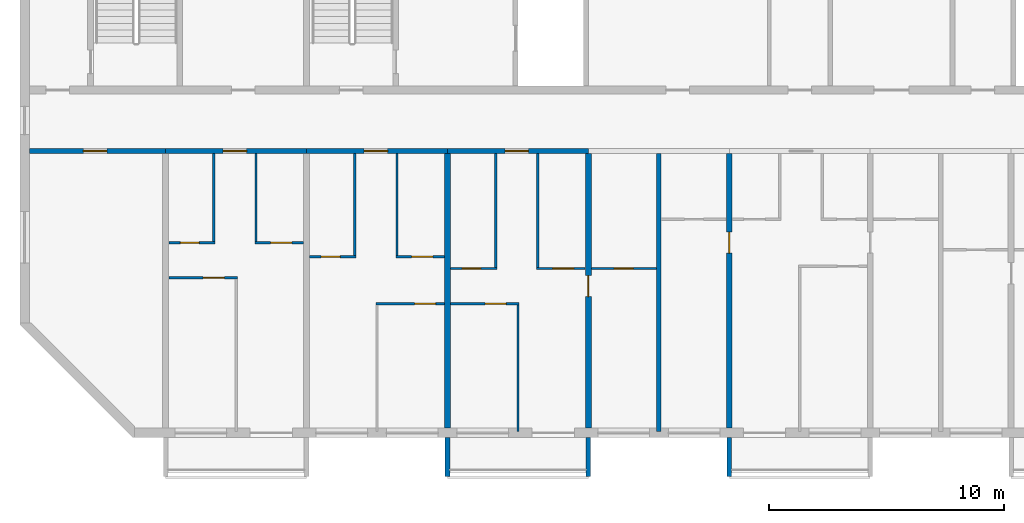
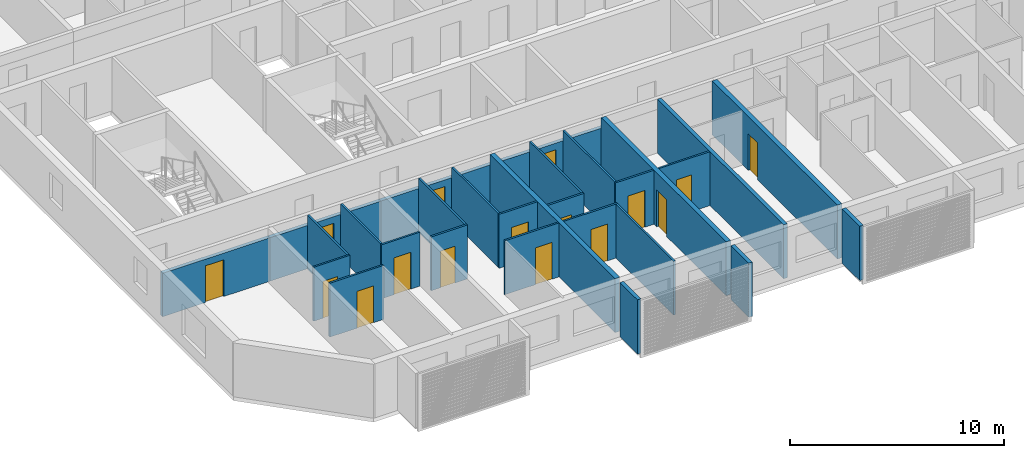
# One storey, part 2 of 26: 28 walls, 16 doors, 16 openings.
"""IFC4 building model written with IfcOpenShell, lengths in metres."""

from ifc_helpers import new_model, si_unit, direction, frame, frame_2d, origin, place, context, subcontext, project, spatial, polyline, rectangle, outline, extrude, source, transform, mapped, material, layer, layer_set, type_object, element, fill, save


model = new_model("IFC4")

# Units and contexts
model_context = context("Model", 3, precision=1e-05, world=origin(), true_north=direction((0.0, 1.0)))
body_context = subcontext(model_context, "Body", "Model", "MODEL_VIEW")
ifc_project = project(units=[si_unit("LENGTHUNIT", "METRE"), si_unit("AREAUNIT", "SQUARE_METRE"), si_unit("VOLUMEUNIT", "CUBIC_METRE"), si_unit("PLANEANGLEUNIT", "RADIAN"), si_unit("MASSUNIT", "GRAM", prefix="KILO")], contexts=[model_context])

# Site, building, storey
site_placement = place(None, origin())
site = spatial("IfcSite", under=ifc_project, at=site_placement, CompositionType="ELEMENT")
building_placement = place(site_placement, origin())
building = spatial("IfcBuilding", under=site, at=building_placement, Name="Poui Terraces", CompositionType="ELEMENT")
storey_placement = place(building_placement, frame((0.0, 0.0, 221.39990234375)))
storey = spatial("IfcBuildingStorey", under=building, at=storey_placement, Name="L61", CompositionType="ELEMENT", Elevation=221.39990234375)

# Wall, opening, door
ifc_material_1 = material(Name="Concrete 50 MPa", Category="concrete")
ifc_layer_1 = layer(ifc_material_1, 0.199951171875)
ifc_layer_set_1 = layer_set([ifc_layer_1], Name="Concrete 50 MPa")
wall_type_1 = type_object("IfcWallType", Name="CORRIDOR WALL 200 50MPa", PredefinedType="SHEAR", material=ifc_layer_set_1)
wall_1_placement = place(storey_placement, frame((18.199951171875, 12.0, 0.0), z_axis=(0.0, 0.0, 1.0), x_axis=(1.0, 0.0, 0.0)))
wall_1 = element("IfcWall", 1, at=wall_1_placement, inside=storey, type_object=wall_type_1, Name="CORRIDOR WALL LINE B BAY 1", PredefinedType="SHEAR", context=body_context, shape_type="SweptSolid", body=[
    extrude(rectangle(XDim=5.800048828125, YDim=0.199951171875, at=frame_2d((2.89990234375, 0.0))), origin(), (0.0, 0.0, 1.0), 2.47998046875),
])
opening_1_placement = place(wall_1_placement, frame((2.300048828125, 0.0, 0.0)))
opening_1 = element("IfcOpeningElement", 2, at=opening_1_placement, cuts=wall_1, Name="Opening D100", PredefinedType="OPENING", context=body_context, shape_type="SweptSolid", body=[
    extrude(rectangle(XDim=1.0, YDim=2.10009765625, at=frame_2d((0.5, 1.050048828125))), frame((0.0, 0.10986328125, 0.0), z_axis=(0.0, -1.0, 0.0), x_axis=(1.0, 0.0, 0.0)), (0.0, 0.0, 1.0), 0.219970703125),
])
ifc_material_2 = material(Name="Solid core timber door", Category="wood")
door_type_1 = type_object("IfcDoorType", Name="ACCESSIBLE INTERNAL DOOR 1000 X 2100", OperationType="NOTDEFINED", PredefinedType="DOOR", material=ifc_material_2)
door_1_placement = place(opening_1_placement, frame((1.0, 0.0, 0.0), z_axis=(0.0, 0.0, 1.0), x_axis=(-1.0, 0.0, 0.0)))
door_1 = element("IfcDoor", 3, at=door_1_placement, inside=storey, type_object=door_type_1, Name="ACCESSIBLE INTERNAL DOOR 058", OperationType="SINGLE_SWING_RIGHT", OverallHeight=2.10009765625, OverallWidth=1.0, PredefinedType="DOOR", context=body_context, shape_type="SweptSolid", body=[
    extrude(rectangle(XDim=1.0, YDim=2.10009765625, at=frame_2d((0.5, 1.050048828125))), frame((0.0, 0.02490234375, 0.0), z_axis=(0.0, -1.0, 0.0), x_axis=(1.0, 0.0, 0.0)), (0.0, 0.0, 1.0), 0.050048828125),
])
fill(opening_1, door_1)

wall_2_placement = place(storey_placement, frame((24.0, 12.0, 0.0), z_axis=(0.0, 0.0, 1.0), x_axis=(1.0, 0.0, 0.0)))
wall_2 = element("IfcWall", 4, at=wall_2_placement, inside=storey, type_object=wall_type_1, Name="CORRIDOR WALL LINE B BAY 2", PredefinedType="SHEAR", context=body_context, shape_type="SweptSolid", body=[
    extrude(rectangle(XDim=6.0, YDim=0.199951171875, at=frame_2d((3.0, 0.0))), origin(), (0.0, 0.0, 1.0), 2.47998046875),
])
opening_2_placement = place(wall_2_placement, frame((2.449951171875, 0.0, 0.0)))
opening_2 = element("IfcOpeningElement", 5, at=opening_2_placement, cuts=wall_2, Name="Opening FD30S", PredefinedType="OPENING", context=body_context, shape_type="SweptSolid", body=[
    extrude(rectangle(XDim=1.0, YDim=2.10009765625, at=frame_2d((0.5, 1.050048828125))), frame((0.0, 0.10986328125, 0.0), z_axis=(0.0, -1.0, 0.0), x_axis=(1.0, 0.0, 0.0)), (0.0, 0.0, 1.0), 0.219970703125),
])
ifc_material_3 = material(Name="Steel fire door", Category="steel")
door_type_2 = type_object("IfcDoorType", Name="FLAT ENTRANCE DOOR 1000 X 2100", OperationType="NOTDEFINED", PredefinedType="DOOR", material=ifc_material_3)
door_2_placement = place(opening_2_placement, frame((1.0, 0.0, 0.0), z_axis=(0.0, 0.0, 1.0), x_axis=(-1.0, 0.0, 0.0)))
door_2 = element("IfcDoor", 6, at=door_2_placement, inside=storey, type_object=door_type_2, Name="FLAT ENTRANCE DOOR 061", OperationType="SINGLE_SWING_RIGHT", OverallHeight=2.10009765625, OverallWidth=1.0, PredefinedType="DOOR", context=body_context, shape_type="SweptSolid", body=[
    extrude(rectangle(XDim=1.0, YDim=2.10009765625, at=frame_2d((0.5, 1.050048828125))), frame((0.0, 0.02490234375, 0.0), z_axis=(0.0, -1.0, 0.0), x_axis=(1.0, 0.0, 0.0)), (0.0, 0.0, 1.0), 0.050048828125),
])
fill(opening_2, door_2)

wall_3_placement = place(storey_placement, frame((30.0, 12.0, 0.0), z_axis=(0.0, 0.0, 1.0), x_axis=(1.0, 0.0, 0.0)))
wall_3 = element("IfcWall", 7, at=wall_3_placement, inside=storey, type_object=wall_type_1, Name="CORRIDOR WALL LINE B BAY 3", PredefinedType="SHEAR", context=body_context, shape_type="SweptSolid", body=[
    extrude(rectangle(XDim=6.0, YDim=0.199951171875, at=frame_2d((3.0, 0.0))), origin(), (0.0, 0.0, 1.0), 2.47998046875),
])
opening_3_placement = place(wall_3_placement, frame((2.449951171875, 0.0, 0.0)))
opening_3 = element("IfcOpeningElement", 8, at=opening_3_placement, cuts=wall_3, Name="Opening FD30S", PredefinedType="OPENING", context=body_context, shape_type="SweptSolid", body=[
    extrude(rectangle(XDim=1.0, YDim=2.10009765625, at=frame_2d((0.5, 1.050048828125))), frame((0.0, 0.10986328125, 0.0), z_axis=(0.0, -1.0, 0.0), x_axis=(1.0, 0.0, 0.0)), (0.0, 0.0, 1.0), 0.219970703125),
])
door_3_placement = place(opening_3_placement, frame((1.0, 0.0, 0.0), z_axis=(0.0, 0.0, 1.0), x_axis=(-1.0, 0.0, 0.0)))
door_3 = element("IfcDoor", 9, at=door_3_placement, inside=storey, type_object=door_type_2, Name="FLAT ENTRANCE DOOR 064", OperationType="SINGLE_SWING_RIGHT", OverallHeight=2.10009765625, OverallWidth=1.0, PredefinedType="DOOR", context=body_context, shape_type="SweptSolid", body=[
    extrude(rectangle(XDim=1.0, YDim=2.10009765625, at=frame_2d((0.5, 1.050048828125))), frame((0.0, 0.02490234375, 0.0), z_axis=(0.0, -1.0, 0.0), x_axis=(1.0, 0.0, 0.0)), (0.0, 0.0, 1.0), 0.050048828125),
])
fill(opening_3, door_3)

wall_4_placement = place(storey_placement, frame((36.0, 12.0, 0.0), z_axis=(0.0, 0.0, 1.0), x_axis=(1.0, 0.0, 0.0)))
wall_4 = element("IfcWall", 10, at=wall_4_placement, inside=storey, type_object=wall_type_1, Name="CORRIDOR WALL LINE B BAY 4", PredefinedType="SHEAR", context=body_context, shape_type="SweptSolid", body=[
    extrude(rectangle(XDim=6.0, YDim=0.199951171875, at=frame_2d((3.0, 0.0))), origin(), (0.0, 0.0, 1.0), 2.47998046875),
])
opening_4_placement = place(wall_4_placement, frame((2.449951171875, 0.0, 0.0)))
opening_4 = element("IfcOpeningElement", 11, at=opening_4_placement, cuts=wall_4, Name="Opening FD30S", PredefinedType="OPENING", context=body_context, shape_type="SweptSolid", body=[
    extrude(rectangle(XDim=1.0, YDim=2.10009765625, at=frame_2d((0.5, 1.050048828125))), frame((0.0, 0.10986328125, 0.0), z_axis=(0.0, -1.0, 0.0), x_axis=(1.0, 0.0, 0.0)), (0.0, 0.0, 1.0), 0.219970703125),
])
door_4_placement = place(opening_4_placement, frame((1.0, 0.0, 0.0), z_axis=(0.0, 0.0, 1.0), x_axis=(-1.0, 0.0, 0.0)))
door_4 = element("IfcDoor", 12, at=door_4_placement, inside=storey, type_object=door_type_2, Name="FLAT ENTRANCE DOOR 070", OperationType="SINGLE_SWING_RIGHT", OverallHeight=2.10009765625, OverallWidth=1.0, PredefinedType="DOOR", context=body_context, shape_type="SweptSolid", body=[
    extrude(rectangle(XDim=1.0, YDim=2.10009765625, at=frame_2d((0.5, 1.050048828125))), frame((0.0, 0.02490234375, 0.0), z_axis=(0.0, -1.0, 0.0), x_axis=(1.0, 0.0, 0.0)), (0.0, 0.0, 1.0), 0.050048828125),
])
fill(opening_4, door_4)

# Wall
ifc_layer_2 = layer(ifc_material_1, 0.25)
ifc_layer_set_2 = layer_set([ifc_layer_2], Name="Concrete 50 MPa")
wall_type_2 = type_object("IfcWallType", Name="CROSS WALL 250 50MPa", PredefinedType="SHEAR", material=ifc_layer_set_2)
wall_5_placement = place(storey_placement, frame((36.0, 0.199951171875, 0.0), z_axis=(0.0, 0.0, 1.0), x_axis=(0.0, 1.0, 0.0)))
element("IfcWall", 13, at=wall_5_placement, inside=storey, type_object=wall_type_2, Name="CROSS WALL LINE 7 SOUTH", PredefinedType="SHEAR", context=body_context, shape_type="SweptSolid", body=[
    extrude(rectangle(XDim=11.699951171875, YDim=0.25, at=frame_2d((5.85009765625, 0.0))), origin(), (0.0, 0.0, 1.0), 3.080078125),
])

# Wall, opening, door
wall_6_placement = place(storey_placement, frame((42.0, 0.199951171875, 0.0), z_axis=(0.0, 0.0, 1.0), x_axis=(0.0, 1.0, 0.0)))
wall_6 = element("IfcWall", 14, at=wall_6_placement, inside=storey, type_object=wall_type_2, Name="CROSS WALL LINE 8 SOUTH", PredefinedType="SHEAR", context=body_context, shape_type="SweptSolid", body=[
    extrude(rectangle(XDim=11.699951171875, YDim=0.25, at=frame_2d((5.85009765625, 0.0))), origin(), (0.0, 0.0, 1.0), 3.080078125),
])
opening_5_placement = place(wall_6_placement, frame((5.60009765625, 0.0, 0.0)))
opening_5 = element("IfcOpeningElement", 15, at=opening_5_placement, cuts=wall_6, Name="Opening D90", PredefinedType="OPENING", context=body_context, shape_type="SweptSolid", body=[
    extrude(rectangle(XDim=0.89990234375, YDim=2.10009765625, at=frame_2d((0.449951171875, 1.050048828125))), frame((0.0, 0.135009765625, 0.0), z_axis=(0.0, -1.0, 0.0), x_axis=(1.0, 0.0, 0.0)), (0.0, 0.0, 1.0), 0.27001953125),
])
door_type_3 = type_object("IfcDoorType", Name="INTERNAL DOOR 900 X 2100", OperationType="NOTDEFINED", PredefinedType="DOOR", material=ifc_material_2)
door_5_placement = place(opening_5_placement, frame((0.89990234375, 0.0, 0.0), z_axis=(0.0, 0.0, 1.0), x_axis=(-1.0, 0.0, 0.0)))
door_5 = element("IfcDoor", 16, at=door_5_placement, inside=storey, type_object=door_type_3, Name="INTERNAL DOOR 072", OperationType="SINGLE_SWING_LEFT", OverallHeight=2.10009765625, OverallWidth=0.89990234375, PredefinedType="DOOR", context=body_context, shape_type="SweptSolid", body=[
    extrude(rectangle(XDim=0.89990234375, YDim=2.10009765625, at=frame_2d((0.449951171875, 1.050048828125))), frame((0.0, 0.02490234375, 0.0), z_axis=(0.0, -1.0, 0.0), x_axis=(1.0, 0.0, 0.0)), (0.0, 0.0, 1.0), 0.050048828125),
])
fill(opening_5, door_5)

wall_7_placement = place(storey_placement, frame((48.0, 0.199951171875, 0.0), z_axis=(0.0, 0.0, 1.0), x_axis=(0.0, 1.0, 0.0)))
wall_7 = element("IfcWall", 17, at=wall_7_placement, inside=storey, type_object=wall_type_2, Name="CROSS WALL LINE 9 SOUTH", PredefinedType="SHEAR", context=body_context, shape_type="SweptSolid", body=[
    extrude(rectangle(XDim=11.699951171875, YDim=0.25, at=frame_2d((5.85009765625, 0.0))), origin(), (0.0, 0.0, 1.0), 3.080078125),
])
opening_6_placement = place(wall_7_placement, frame((7.449951171875, 0.0, 0.0)))
opening_6 = element("IfcOpeningElement", 18, at=opening_6_placement, cuts=wall_7, Name="Opening D90", PredefinedType="OPENING", context=body_context, shape_type="SweptSolid", body=[
    extrude(rectangle(XDim=0.89990234375, YDim=2.10009765625, at=frame_2d((0.449951171875, 1.050048828125))), frame((0.0, 0.135009765625, 0.0), z_axis=(0.0, -1.0, 0.0), x_axis=(1.0, 0.0, 0.0)), (0.0, 0.0, 1.0), 0.27001953125),
])
door_6_placement = place(opening_6_placement, origin())
door_6 = element("IfcDoor", 19, at=door_6_placement, inside=storey, type_object=door_type_3, Name="INTERNAL DOOR 075", OperationType="SINGLE_SWING_RIGHT", OverallHeight=2.10009765625, OverallWidth=0.89990234375, PredefinedType="DOOR", context=body_context, shape_type="SweptSolid", body=[
    extrude(rectangle(XDim=0.89990234375, YDim=2.10009765625, at=frame_2d((0.449951171875, 1.050048828125))), frame((0.0, 0.02490234375, 0.0), z_axis=(0.0, -1.0, 0.0), x_axis=(1.0, 0.0, 0.0)), (0.0, 0.0, 1.0), 0.050048828125),
])
fill(opening_6, door_6)

ifc_material_4 = material(Name="Plasterboard partition")
ifc_layer_3 = layer(ifc_material_4, 0.10009765625)
ifc_layer_set_3 = layer_set([ifc_layer_3], Name="Plasterboard partition")
wall_type_3 = type_object("IfcWallType", Name="FLAT PARTITION 100", PredefinedType="PARTITIONING", material=ifc_layer_set_3)
wall_8_placement = place(storey_placement, frame((32.949951171875, 5.5, 0.0), z_axis=(0.0, 0.0, 1.0), x_axis=(1.0, 0.0, 0.0)))
wall_8 = element("IfcWall", 20, at=wall_8_placement, inside=storey, type_object=wall_type_3, Name="FLAT PARTITION 100", PredefinedType="PARTITIONING", context=body_context, shape_type="SweptSolid", body=[
    extrude(rectangle(XDim=2.9150390625, YDim=0.10009765625, at=frame_2d((1.45751953125, 0.0))), origin(), (0.0, 0.0, 1.0), 3.080078125),
])
opening_7_placement = place(wall_8_placement, frame((1.64990234375, 0.0, 0.0)))
opening_7 = element("IfcOpeningElement", 21, at=opening_7_placement, cuts=wall_8, Name="Opening D90", PredefinedType="OPENING", context=body_context, shape_type="SweptSolid", body=[
    extrude(rectangle(XDim=0.89990234375, YDim=2.10009765625, at=frame_2d((0.449951171875, 1.050048828125))), frame((0.0, 0.06005859375, 0.0), z_axis=(0.0, -1.0, 0.0), x_axis=(1.0, 0.0, 0.0)), (0.0, 0.0, 1.0), 0.1201171875),
])
door_7_placement = place(opening_7_placement, frame((0.89990234375, 0.0, 0.0), z_axis=(0.0, 0.0, 1.0), x_axis=(-1.0, 0.0, 0.0)))
door_7 = element("IfcDoor", 22, at=door_7_placement, inside=storey, type_object=door_type_3, Name="INTERNAL DOOR 066", OperationType="SINGLE_SWING_LEFT", OverallHeight=2.10009765625, OverallWidth=0.89990234375, PredefinedType="DOOR", context=body_context, shape_type="SweptSolid", body=[
    extrude(rectangle(XDim=0.89990234375, YDim=2.10009765625, at=frame_2d((0.449951171875, 1.050048828125))), frame((0.0, 0.02490234375, 0.0), z_axis=(0.0, -1.0, 0.0), x_axis=(1.0, 0.0, 0.0)), (0.0, 0.0, 1.0), 0.050048828125),
])
fill(opening_7, door_7)

wall_9_placement = place(storey_placement, frame((36.135009765625, 5.5, 0.0), z_axis=(0.0, 0.0, 1.0), x_axis=(1.0, 0.0, 0.0)))
wall_9 = element("IfcWall", 23, at=wall_9_placement, inside=storey, type_object=wall_type_3, Name="FLAT PARTITION 100", PredefinedType="PARTITIONING", context=body_context, shape_type="SweptSolid", body=[
    extrude(rectangle(XDim=2.9150390625, YDim=0.10009765625, at=frame_2d((1.45751953125, 0.0))), origin(), (0.0, 0.0, 1.0), 3.080078125),
])
opening_8_placement = place(wall_9_placement, frame((1.465087890625, 0.0, 0.0)))
opening_8 = element("IfcOpeningElement", 24, at=opening_8_placement, cuts=wall_9, Name="Opening D90", PredefinedType="OPENING", context=body_context, shape_type="SweptSolid", body=[
    extrude(rectangle(XDim=0.89990234375, YDim=2.10009765625, at=frame_2d((0.449951171875, 1.050048828125))), frame((0.0, 0.06005859375, 0.0), z_axis=(0.0, -1.0, 0.0), x_axis=(1.0, 0.0, 0.0)), (0.0, 0.0, 1.0), 0.1201171875),
])
door_8_placement = place(opening_8_placement, origin())
door_8 = element("IfcDoor", 25, at=door_8_placement, inside=storey, type_object=door_type_3, Name="INTERNAL DOOR 069", OperationType="SINGLE_SWING_LEFT", OverallHeight=2.10009765625, OverallWidth=0.89990234375, PredefinedType="DOOR", context=body_context, shape_type="SweptSolid", body=[
    extrude(rectangle(XDim=0.89990234375, YDim=2.10009765625, at=frame_2d((0.449951171875, 1.050048828125))), frame((0.0, 0.02490234375, 0.0), z_axis=(0.0, -1.0, 0.0), x_axis=(1.0, 0.0, 0.0)), (0.0, 0.0, 1.0), 0.050048828125),
])
fill(opening_8, door_8)

wall_10_placement = place(storey_placement, frame((24.135009765625, 6.60009765625, 0.0), z_axis=(0.0, 0.0, 1.0), x_axis=(1.0, 0.0, 0.0)))
wall_10 = element("IfcWall", 26, at=wall_10_placement, inside=storey, type_object=wall_type_3, Name="FLAT PARTITION 100", PredefinedType="PARTITIONING", context=body_context, shape_type="SweptSolid", body=[
    extrude(rectangle(XDim=2.9150390625, YDim=0.10009765625, at=frame_2d((1.45751953125, 0.0))), origin(), (0.0, 0.0, 1.0), 3.080078125),
])
opening_9_placement = place(wall_10_placement, frame((1.465087890625, 0.0, 0.0)))
opening_9 = element("IfcOpeningElement", 27, at=opening_9_placement, cuts=wall_10, Name="Opening D90", PredefinedType="OPENING", context=body_context, shape_type="SweptSolid", body=[
    extrude(rectangle(XDim=0.89990234375, YDim=2.10009765625, at=frame_2d((0.449951171875, 1.050048828125))), frame((0.0, 0.06005859375, 0.0), z_axis=(0.0, -1.0, 0.0), x_axis=(1.0, 0.0, 0.0)), (0.0, 0.0, 1.0), 0.1201171875),
])
door_9_placement = place(opening_9_placement, origin())
door_9 = element("IfcDoor", 28, at=door_9_placement, inside=storey, type_object=door_type_3, Name="INTERNAL DOOR 060", OperationType="SINGLE_SWING_LEFT", OverallHeight=2.10009765625, OverallWidth=0.89990234375, PredefinedType="DOOR", context=body_context, shape_type="SweptSolid", body=[
    extrude(rectangle(XDim=0.89990234375, YDim=2.10009765625, at=frame_2d((0.449951171875, 1.050048828125))), frame((0.0, 0.02490234375, 0.0), z_axis=(0.0, -1.0, 0.0), x_axis=(1.0, 0.0, 0.0)), (0.0, 0.0, 1.0), 0.050048828125),
])
fill(opening_9, door_9)

wall_11_placement = place(storey_placement, frame((36.135009765625, 7.0, 0.0), z_axis=(0.0, 0.0, 1.0), x_axis=(1.0, 0.0, 0.0)))
wall_11 = element("IfcWall", 29, at=wall_11_placement, inside=storey, type_object=wall_type_3, Name="FLAT PARTITION 100", PredefinedType="PARTITIONING", context=body_context, shape_type="SweptSolid", body=[
    extrude(rectangle(XDim=1.965087890625, YDim=0.10009765625, at=frame_2d((0.982421875, 0.0))), origin(), (0.0, 0.0, 1.0), 3.080078125),
])
opening_10_placement = place(wall_11_placement, frame((0.489990234375, 0.0, 0.0)))
opening_10 = element("IfcOpeningElement", 30, at=opening_10_placement, cuts=wall_11, Name="Opening D80", PredefinedType="OPENING", context=body_context, shape_type="SweptSolid", body=[
    extrude(rectangle(XDim=0.800048828125, YDim=2.10009765625, at=frame_2d((0.39990234375, 1.050048828125))), frame((0.0, 0.06005859375, 0.0), z_axis=(0.0, -1.0, 0.0), x_axis=(1.0, 0.0, 0.0)), (0.0, 0.0, 1.0), 0.1201171875),
])
door_type_4 = type_object("IfcDoorType", Name="BATHROOM, LAUNDRY AND STORE DOOR 800 X 2100", OperationType="NOTDEFINED", PredefinedType="DOOR", material=ifc_material_2)
door_10_placement = place(opening_10_placement, origin())
door_10 = element("IfcDoor", 31, at=door_10_placement, inside=storey, type_object=door_type_4, Name="BATHROOM, LAUNDRY AND STORE DOOR 068", OperationType="SINGLE_SWING_RIGHT", OverallHeight=2.10009765625, OverallWidth=0.800048828125, PredefinedType="DOOR", context=body_context, shape_type="SweptSolid", body=[
    extrude(rectangle(XDim=0.800048828125, YDim=2.10009765625, at=frame_2d((0.39990234375, 1.050048828125))), frame((0.0, 0.02490234375, 0.0), z_axis=(0.0, -1.0, 0.0), x_axis=(1.0, 0.0, 0.0)), (0.0, 0.0, 1.0), 0.050048828125),
])
fill(opening_10, door_10)

wall_12_placement = place(storey_placement, frame((39.800048828125, 7.0, 0.0), z_axis=(0.0, 0.0, 1.0), x_axis=(1.0, 0.0, 0.0)))
wall_12 = element("IfcWall", 32, at=wall_12_placement, inside=storey, type_object=wall_type_3, Name="FLAT PARTITION 100", PredefinedType="PARTITIONING", context=body_context, shape_type="SweptSolid", body=[
    extrude(rectangle(XDim=2.06494140625, YDim=0.10009765625, at=frame_2d((1.032470703125, 0.0))), origin(), (0.0, 0.0, 1.0), 3.080078125),
])
opening_11_placement = place(wall_12_placement, frame((0.675048828125, 0.0, 0.0)))
opening_11 = element("IfcOpeningElement", 33, at=opening_11_placement, cuts=wall_12, Name="Opening D90", PredefinedType="OPENING", context=body_context, shape_type="SweptSolid", body=[
    extrude(rectangle(XDim=0.89990234375, YDim=2.10009765625, at=frame_2d((0.449951171875, 1.050048828125))), frame((0.0, 0.06005859375, 0.0), z_axis=(0.0, -1.0, 0.0), x_axis=(1.0, 0.0, 0.0)), (0.0, 0.0, 1.0), 0.1201171875),
])
door_11_placement = place(opening_11_placement, origin())
door_11 = element("IfcDoor", 34, at=door_11_placement, inside=storey, type_object=door_type_3, Name="INTERNAL DOOR 071", OperationType="SINGLE_SWING_LEFT", OverallHeight=2.10009765625, OverallWidth=0.89990234375, PredefinedType="DOOR", context=body_context, shape_type="SweptSolid", body=[
    extrude(rectangle(XDim=0.89990234375, YDim=2.10009765625, at=frame_2d((0.449951171875, 1.050048828125))), frame((0.0, 0.02490234375, 0.0), z_axis=(0.0, -1.0, 0.0), x_axis=(1.0, 0.0, 0.0)), (0.0, 0.0, 1.0), 0.050048828125),
])
fill(opening_11, door_11)

wall_13_placement = place(storey_placement, frame((42.135009765625, 7.0, 0.0), z_axis=(0.0, 0.0, 1.0), x_axis=(1.0, 0.0, 0.0)))
wall_13 = element("IfcWall", 35, at=wall_13_placement, inside=storey, type_object=wall_type_3, Name="FLAT PARTITION 100", PredefinedType="PARTITIONING", context=body_context, shape_type="SweptSolid", body=[
    extrude(rectangle(XDim=2.764892578125, YDim=0.10009765625, at=frame_2d((1.38232421875, 0.0))), origin(), (0.0, 0.0, 1.0), 3.080078125),
])
opening_12_placement = place(wall_13_placement, frame((0.965087890625, 0.0, 0.0)))
opening_12 = element("IfcOpeningElement", 36, at=opening_12_placement, cuts=wall_13, Name="Opening D80", PredefinedType="OPENING", context=body_context, shape_type="SweptSolid", body=[
    extrude(rectangle(XDim=0.800048828125, YDim=2.10009765625, at=frame_2d((0.39990234375, 1.050048828125))), frame((0.0, 0.06005859375, 0.0), z_axis=(0.0, -1.0, 0.0), x_axis=(1.0, 0.0, 0.0)), (0.0, 0.0, 1.0), 0.1201171875),
])
door_12_placement = place(opening_12_placement, origin())
door_12 = element("IfcDoor", 37, at=door_12_placement, inside=storey, type_object=door_type_4, Name="BATHROOM, LAUNDRY AND STORE DOOR 067", OperationType="SINGLE_SWING_RIGHT", OverallHeight=2.10009765625, OverallWidth=0.800048828125, PredefinedType="DOOR", context=body_context, shape_type="SweptSolid", body=[
    extrude(rectangle(XDim=0.800048828125, YDim=2.10009765625, at=frame_2d((0.39990234375, 1.050048828125))), frame((0.0, 0.02490234375, 0.0), z_axis=(0.0, -1.0, 0.0), x_axis=(1.0, 0.0, 0.0)), (0.0, 0.0, 1.0), 0.050048828125),
])
fill(opening_12, door_12)

wall_14_placement = place(storey_placement, frame((30.135009765625, 7.5, 0.0), z_axis=(0.0, 0.0, 1.0), x_axis=(1.0, 0.0, 0.0)))
wall_14 = element("IfcWall", 38, at=wall_14_placement, inside=storey, type_object=wall_type_3, Name="FLAT PARTITION 100", PredefinedType="PARTITIONING", context=body_context, shape_type="SweptSolid", body=[
    extrude(rectangle(XDim=1.965087890625, YDim=0.10009765625, at=frame_2d((0.982421875, 0.0))), origin(), (0.0, 0.0, 1.0), 3.080078125),
])
opening_13_placement = place(wall_14_placement, frame((0.489990234375, 0.0, 0.0)))
opening_13 = element("IfcOpeningElement", 39, at=opening_13_placement, cuts=wall_14, Name="Opening D80", PredefinedType="OPENING", context=body_context, shape_type="SweptSolid", body=[
    extrude(rectangle(XDim=0.800048828125, YDim=2.10009765625, at=frame_2d((0.39990234375, 1.050048828125))), frame((0.0, 0.06005859375, 0.0), z_axis=(0.0, -1.0, 0.0), x_axis=(1.0, 0.0, 0.0)), (0.0, 0.0, 1.0), 0.1201171875),
])
door_13_placement = place(opening_13_placement, origin())
door_13 = element("IfcDoor", 40, at=door_13_placement, inside=storey, type_object=door_type_4, Name="BATHROOM, LAUNDRY AND STORE DOOR 063", OperationType="SINGLE_SWING_LEFT", OverallHeight=2.10009765625, OverallWidth=0.800048828125, PredefinedType="DOOR", context=body_context, shape_type="SweptSolid", body=[
    extrude(rectangle(XDim=0.800048828125, YDim=2.10009765625, at=frame_2d((0.39990234375, 1.050048828125))), frame((0.0, 0.02490234375, 0.0), z_axis=(0.0, -1.0, 0.0), x_axis=(1.0, 0.0, 0.0)), (0.0, 0.0, 1.0), 0.050048828125),
])
fill(opening_13, door_13)

wall_15_placement = place(storey_placement, frame((33.800048828125, 7.5, 0.0), z_axis=(0.0, 0.0, 1.0), x_axis=(1.0, 0.0, 0.0)))
wall_15 = element("IfcWall", 41, at=wall_15_placement, inside=storey, type_object=wall_type_3, Name="FLAT PARTITION 100", PredefinedType="PARTITIONING", context=body_context, shape_type="SweptSolid", body=[
    extrude(rectangle(XDim=2.06494140625, YDim=0.10009765625, at=frame_2d((1.032470703125, 0.0))), origin(), (0.0, 0.0, 1.0), 3.080078125),
])
opening_14_placement = place(wall_15_placement, frame((0.675048828125, 0.0, 0.0)))
opening_14 = element("IfcOpeningElement", 42, at=opening_14_placement, cuts=wall_15, Name="Opening D90", PredefinedType="OPENING", context=body_context, shape_type="SweptSolid", body=[
    extrude(rectangle(XDim=0.89990234375, YDim=2.10009765625, at=frame_2d((0.449951171875, 1.050048828125))), frame((0.0, 0.06005859375, 0.0), z_axis=(0.0, -1.0, 0.0), x_axis=(1.0, 0.0, 0.0)), (0.0, 0.0, 1.0), 0.1201171875),
])
door_14_placement = place(opening_14_placement, origin())
door_14 = element("IfcDoor", 43, at=door_14_placement, inside=storey, type_object=door_type_3, Name="INTERNAL DOOR 065", OperationType="SINGLE_SWING_RIGHT", OverallHeight=2.10009765625, OverallWidth=0.89990234375, PredefinedType="DOOR", context=body_context, shape_type="SweptSolid", body=[
    extrude(rectangle(XDim=0.89990234375, YDim=2.10009765625, at=frame_2d((0.449951171875, 1.050048828125))), frame((0.0, 0.02490234375, 0.0), z_axis=(0.0, -1.0, 0.0), x_axis=(1.0, 0.0, 0.0)), (0.0, 0.0, 1.0), 0.050048828125),
])
fill(opening_14, door_14)

wall_16_placement = place(storey_placement, frame((24.135009765625, 8.10009765625, 0.0), z_axis=(0.0, 0.0, 1.0), x_axis=(1.0, 0.0, 0.0)))
wall_16 = element("IfcWall", 44, at=wall_16_placement, inside=storey, type_object=wall_type_3, Name="FLAT PARTITION 100", PredefinedType="PARTITIONING", context=body_context, shape_type="SweptSolid", body=[
    extrude(rectangle(XDim=1.965087890625, YDim=0.10009765625, at=frame_2d((0.982421875, 0.0))), origin(), (0.0, 0.0, 1.0), 3.080078125),
])
opening_15_placement = place(wall_16_placement, frame((0.489990234375, 0.0, 0.0)))
opening_15 = element("IfcOpeningElement", 45, at=opening_15_placement, cuts=wall_16, Name="Opening D80", PredefinedType="OPENING", context=body_context, shape_type="SweptSolid", body=[
    extrude(rectangle(XDim=0.800048828125, YDim=2.10009765625, at=frame_2d((0.39990234375, 1.050048828125))), frame((0.0, 0.06005859375, 0.0), z_axis=(0.0, -1.0, 0.0), x_axis=(1.0, 0.0, 0.0)), (0.0, 0.0, 1.0), 0.1201171875),
])
door_15_placement = place(opening_15_placement, origin())
door_15 = element("IfcDoor", 46, at=door_15_placement, inside=storey, type_object=door_type_4, Name="BATHROOM, LAUNDRY AND STORE DOOR 059", OperationType="SINGLE_SWING_RIGHT", OverallHeight=2.10009765625, OverallWidth=0.800048828125, PredefinedType="DOOR", context=body_context, shape_type="SweptSolid", body=[
    extrude(rectangle(XDim=0.800048828125, YDim=2.10009765625, at=frame_2d((0.39990234375, 1.050048828125))), frame((0.0, 0.02490234375, 0.0), z_axis=(0.0, -1.0, 0.0), x_axis=(1.0, 0.0, 0.0)), (0.0, 0.0, 1.0), 0.050048828125),
])
fill(opening_15, door_15)

wall_17_placement = place(storey_placement, frame((27.800048828125, 8.10009765625, 0.0), z_axis=(0.0, 0.0, 1.0), x_axis=(1.0, 0.0, 0.0)))
wall_17 = element("IfcWall", 47, at=wall_17_placement, inside=storey, type_object=wall_type_3, Name="FLAT PARTITION 100", PredefinedType="PARTITIONING", context=body_context, shape_type="SweptSolid", body=[
    extrude(rectangle(XDim=2.06494140625, YDim=0.10009765625, at=frame_2d((1.032470703125, 0.0))), origin(), (0.0, 0.0, 1.0), 3.080078125),
])
opening_16_placement = place(wall_17_placement, frame((0.675048828125, 0.0, 0.0)))
opening_16 = element("IfcOpeningElement", 48, at=opening_16_placement, cuts=wall_17, Name="Opening D90", PredefinedType="OPENING", context=body_context, shape_type="SweptSolid", body=[
    extrude(rectangle(XDim=0.89990234375, YDim=2.10009765625, at=frame_2d((0.449951171875, 1.050048828125))), frame((0.0, 0.06005859375, 0.0), z_axis=(0.0, -1.0, 0.0), x_axis=(1.0, 0.0, 0.0)), (0.0, 0.0, 1.0), 0.1201171875),
])
door_16_placement = place(opening_16_placement, origin())
door_16 = element("IfcDoor", 49, at=door_16_placement, inside=storey, type_object=door_type_3, Name="INTERNAL DOOR 062", OperationType="SINGLE_SWING_LEFT", OverallHeight=2.10009765625, OverallWidth=0.89990234375, PredefinedType="DOOR", context=body_context, shape_type="SweptSolid", body=[
    extrude(rectangle(XDim=0.89990234375, YDim=2.10009765625, at=frame_2d((0.449951171875, 1.050048828125))), frame((0.0, 0.02490234375, 0.0), z_axis=(0.0, -1.0, 0.0), x_axis=(1.0, 0.0, 0.0)), (0.0, 0.0, 1.0), 0.050048828125),
])
fill(opening_16, door_16)

# Walls
for number, where, z_axis, x_axis, name in (
    (50, (26.050048828125, 8.14990234375, 0.0), (0.0, 0.0, 1.0), (0.0, 1.0, 0.0), "FLAT PARTITION 100"),
    (51, (27.85009765625, 8.14990234375, 0.0), (0.0, 0.0, 1.0), (0.0, 1.0, 0.0), "FLAT PARTITION 100"),
):
    element("IfcWall", number, at=place(storey_placement, frame(where, z_axis=z_axis, x_axis=x_axis)), inside=storey, type_object=wall_type_3, Name=name, PredefinedType="PARTITIONING", context=body_context, shape_type="SweptSolid", body=[
        extrude(rectangle(XDim=3.739990234375, YDim=0.10009765625, at=frame_2d((1.8701171875, 0.0))), origin(), (0.0, 0.0, 1.0), 3.080078125),
    ])
for number, where, z_axis, x_axis, name in (
    (52, (32.050048828125, 7.550048828125, 0.0), (0.0, 0.0, 1.0), (0.0, 1.0, 0.0), "FLAT PARTITION 100"),
    (53, (33.85009765625, 7.550048828125, 0.0), (0.0, 0.0, 1.0), (0.0, 1.0, 0.0), "FLAT PARTITION 100"),
):
    element("IfcWall", number, at=place(storey_placement, frame(where, z_axis=z_axis, x_axis=x_axis)), inside=storey, type_object=wall_type_3, Name=name, PredefinedType="PARTITIONING", context=body_context, shape_type="SweptSolid", body=[
        extrude(rectangle(XDim=4.33984375, YDim=0.10009765625, at=frame_2d((2.169921875, 0.0))), origin(), (0.0, 0.0, 1.0), 3.080078125),
    ])
wall_18_placement = place(storey_placement, frame((38.050048828125, 7.050048828125, 0.0), z_axis=(0.0, 0.0, 1.0), x_axis=(0.0, 1.0, 0.0)))
element("IfcWall", 54, at=wall_18_placement, inside=storey, type_object=wall_type_3, Name="FLAT PARTITION 100", PredefinedType="PARTITIONING", context=body_context, shape_type="SweptSolid", body=[
    extrude(rectangle(XDim=4.83984375, YDim=0.10009765625, at=frame_2d((2.419921875, 0.0))), origin(), (0.0, 0.0, 1.0), 3.080078125),
])
wall_19_placement = place(storey_placement, frame((39.0, 0.06005859375, 0.0), z_axis=(0.0, 0.0, 1.0), x_axis=(0.0, 1.0, 0.0)))
element("IfcWall", 55, at=wall_19_placement, inside=storey, type_object=wall_type_3, Name="FLAT PARTITION 100", PredefinedType="PARTITIONING", context=body_context, shape_type="SweptSolid", body=[
    extrude(rectangle(XDim=5.389892578125, YDim=0.10009765625, at=frame_2d((2.69482421875, 0.0))), origin(), (0.0, 0.0, 1.0), 3.080078125),
])
wall_20_placement = place(storey_placement, frame((39.85009765625, 7.050048828125, 0.0), z_axis=(0.0, 0.0, 1.0), x_axis=(0.0, 1.0, 0.0)))
element("IfcWall", 56, at=wall_20_placement, inside=storey, type_object=wall_type_3, Name="FLAT PARTITION 100", PredefinedType="PARTITIONING", context=body_context, shape_type="SweptSolid", body=[
    extrude(rectangle(XDim=4.83984375, YDim=0.10009765625, at=frame_2d((2.419921875, 0.0))), origin(), (0.0, 0.0, 1.0), 3.080078125),
])
ifc_material_5 = material(Name="Fire-rated masonry wall", Category="masonry")
ifc_layer_4 = layer(ifc_material_5, 0.199951171875)
ifc_layer_set_4 = layer_set([ifc_layer_4], Name="Fire-rated masonry wall")
wall_type_4 = type_object("IfcWallType", Name="FLAT PARTY WALL 200", PredefinedType="PARTITIONING", material=ifc_layer_set_4)
wall_21_placement = place(storey_placement, frame((45.0, 0.06005859375, 0.0), z_axis=(0.0, 0.0, 1.0), x_axis=(0.0, 1.0, 0.0)))
element("IfcWall", 57, at=wall_21_placement, inside=storey, type_object=wall_type_4, Name="FLAT PARTY WALL 200", PredefinedType="PARTITIONING", context=body_context, shape_type="SweptSolid", body=[
    extrude(rectangle(XDim=11.829833984375, YDim=0.199951171875, at=frame_2d((5.9150390625, 0.0))), origin(), (0.0, 0.0, 1.0), 3.080078125),
])
ifc_material_6 = material(Name="Precast concrete 40 MPa", Category="concrete")
ifc_layer_5 = layer(ifc_material_6, 0.199951171875)
ifc_layer_set_5 = layer_set([ifc_layer_5], Name="Precast concrete 40 MPa")
wall_type_5 = type_object("IfcWallType", Name="REAR FIN 200", PredefinedType="STANDARD", material=ifc_layer_set_5)
shared_shape = source(origin(), body_context, "Body", "SweptSolid", [
    extrude(outline(polyline([(0.0, 0.0), (0.2001953125, 0.0), (0.2001953125, 1.650146484375), (0.0, 1.650146484375), (0.0, 0.0)])), origin(), (0.0, 0.0, 1.0), 3.10009765625),
])
for number, where, name in (
    (58, (35.89990234375, -1.85009765625, 0.0), "REAR FIN"),
    (59, (41.89990234375, -1.85009765625, 0.0), "REAR FIN"),
    (60, (47.89990234375, -1.85009765625, 0.0), "REAR FIN"),
):
    element("IfcWall", number, at=place(storey_placement, frame(where)), inside=storey, type_object=wall_type_5, Name=name, PredefinedType="STANDARD", context=body_context, shape_type="MappedRepresentation", body=[
        mapped(shared_shape, transform((0.0, 0.0, 0.0))),
    ])

save(model, "model.ifc")
